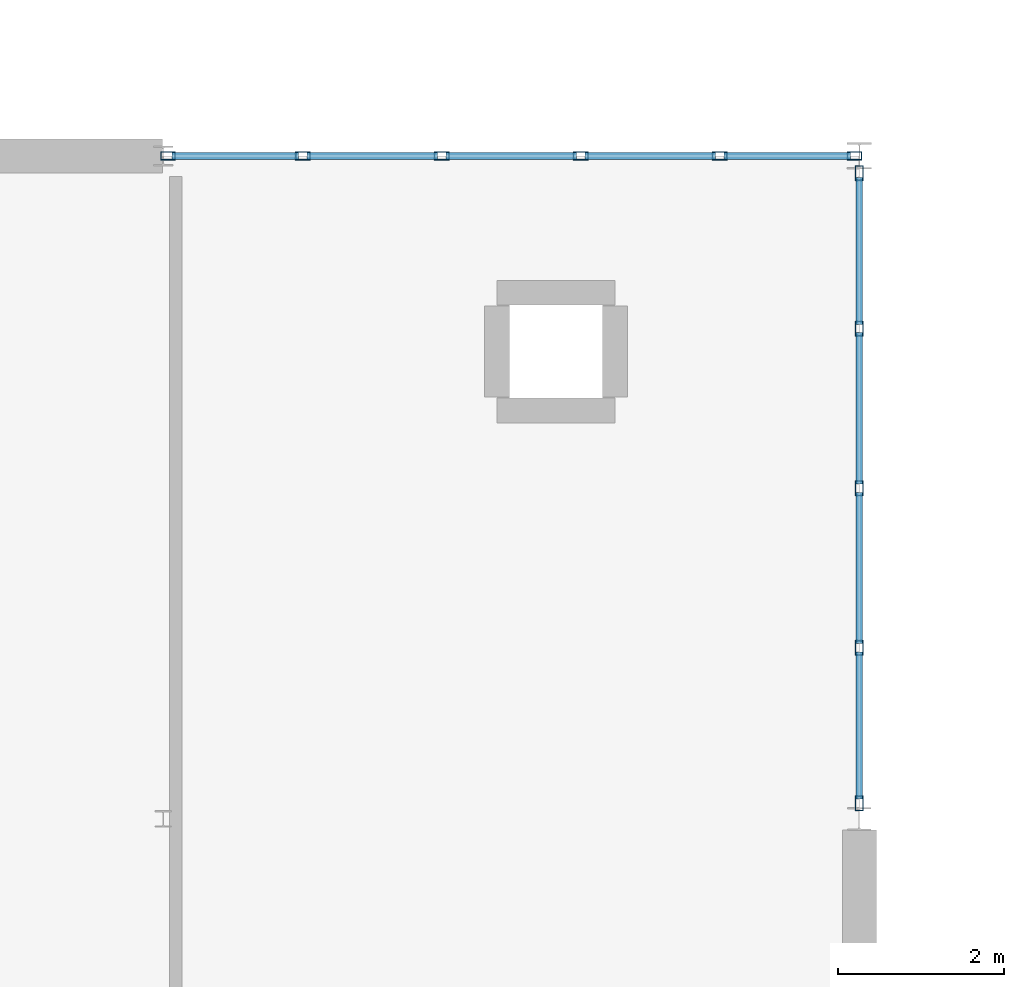
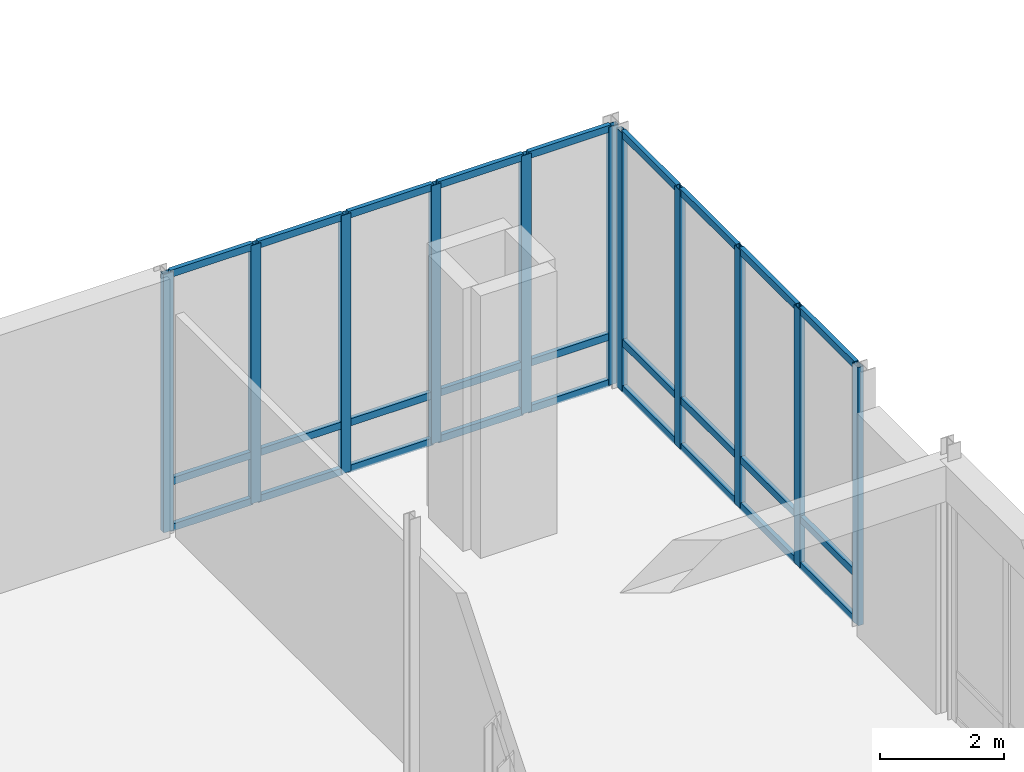
# One storey, part 85 of 169: 38 members, 2 elements without a shape of their own.
"""IFC4 building model written with IfcOpenShell, lengths in metres."""

from ifc_helpers import new_model, si_unit, direction, frame, origin, origin_2d, place, context, subcontext, project, spatial, hollow_rectangle, extrude, material, layer, layer_set, material_profile, profile_set, type_object, element, aggregate, save


model = new_model("IFC4")

# Units and contexts
model_context = context("Model", 3, precision=1e-05, world=origin(), true_north=direction((0.0, 1.0)))
body_context = subcontext(model_context, "Body", "Model", "MODEL_VIEW")
ifc_project = project(units=[si_unit("LENGTHUNIT", "METRE"), si_unit("AREAUNIT", "SQUARE_METRE"), si_unit("VOLUMEUNIT", "CUBIC_METRE"), si_unit("PLANEANGLEUNIT", "RADIAN"), si_unit("MASSUNIT", "GRAM", prefix="KILO")], contexts=[model_context])

# Site, building, storey
site_placement = place(None, origin())
site = spatial("IfcSite", under=ifc_project, at=site_placement, CompositionType="ELEMENT")
building_placement = place(site_placement, origin())
building = spatial("IfcBuilding", under=site, at=building_placement, Name="Mazaris Harbour Polytechnic", CompositionType="ELEMENT")
storey_placement = place(building_placement, origin())
storey = spatial("IfcBuildingStorey", under=building, at=storey_placement, Name="L00", CompositionType="ELEMENT", Elevation=0.0)

# Curtain wall, members
ifc_material_1 = material(Name="Anodised Bronze Aluminium and Low-E Glass", Category="aluminium")
ifc_layer = layer(ifc_material_1, 0.14990234375, Name="Anodised Bronze Aluminium and Low-E Glass")
ifc_layer_set = layer_set([ifc_layer], Name="Anodised Bronze Aluminium and Low-E Glass")
curtain_wall_type = type_object("IfcCurtainWallType", Name="Workshop Clerestory Curtain Wall", PredefinedType="NOTDEFINED", material=ifc_layer_set)
curtain_wall_1_placement = place(storey_placement, origin())
curtain_wall_1 = element("IfcCurtainWall", 1, at=curtain_wall_1_placement, inside=storey, type_object=curtain_wall_type, Name="V1 L00 Curtain Wall 6", PredefinedType="NOTDEFINED")
ifc_material_2 = material(Name="Anodised Bronze Steel S355", Category="steel")
ifc_material_profile_1 = material_profile(ifc_material_2, hollow_rectangle(XDim=0.10009765625, YDim=0.179931640625, WallThickness=0.008056640625, at=origin_2d()), Name="RHS 100x180x8.0")
ifc_profile_set_1 = profile_set([ifc_material_profile_1], Name="Anodised Bronze Steel S355")
member_type_1 = type_object("IfcMemberType", Name="Curtain Mullion RHS100x180", PredefinedType="MULLION", material=ifc_profile_set_1)
member_1_placement = place(storey_placement, frame((104.4580078125, 118.800048828125, 0.0), z_axis=(0.0, 0.0, 1.0), x_axis=(0.0, 1.0, 0.0)))
member_1 = element("IfcMember", 2, at=member_1_placement, type_object=member_type_1, Name="CW-04 mullion 1", PredefinedType="MULLION", context=body_context, shape_type="SweptSolid", body=[
    extrude(hollow_rectangle(XDim=0.10009765625, YDim=0.179931640625, WallThickness=0.008056640625, at=origin_2d()), origin(), (0.0, 0.0, 1.0), 5.080078125),
])
member_2_placement = place(storey_placement, frame((106.084716796875, 118.800048828125, 0.0), z_axis=(0.0, 0.0, 1.0), x_axis=(0.0, 1.0, 0.0)))
member_2 = element("IfcMember", 3, at=member_2_placement, type_object=member_type_1, Name="CW-04 mullion 2", PredefinedType="MULLION", context=body_context, shape_type="SweptSolid", body=[
    extrude(hollow_rectangle(XDim=0.10009765625, YDim=0.179931640625, WallThickness=0.008056640625, at=origin_2d()), origin(), (0.0, 0.0, 1.0), 5.080078125),
])
member_3_placement = place(storey_placement, frame((107.76171875, 118.800048828125, 0.0), z_axis=(0.0, 0.0, 1.0), x_axis=(0.0, 1.0, 0.0)))
member_3 = element("IfcMember", 4, at=member_3_placement, type_object=member_type_1, Name="CW-04 mullion 3", PredefinedType="MULLION", context=body_context, shape_type="SweptSolid", body=[
    extrude(hollow_rectangle(XDim=0.10009765625, YDim=0.179931640625, WallThickness=0.008056640625, at=origin_2d()), origin(), (0.0, 0.0, 1.0), 5.080078125),
])
member_4_placement = place(storey_placement, frame((109.4384765625, 118.800048828125, 0.0), z_axis=(0.0, 0.0, 1.0), x_axis=(0.0, 1.0, 0.0)))
member_4 = element("IfcMember", 5, at=member_4_placement, type_object=member_type_1, Name="CW-04 mullion 4", PredefinedType="MULLION", context=body_context, shape_type="SweptSolid", body=[
    extrude(hollow_rectangle(XDim=0.10009765625, YDim=0.179931640625, WallThickness=0.008056640625, at=origin_2d()), origin(), (0.0, 0.0, 1.0), 5.080078125),
])
member_5_placement = place(storey_placement, frame((111.115234375, 118.800048828125, 0.0), z_axis=(0.0, 0.0, 1.0), x_axis=(0.0, 1.0, 0.0)))
member_5 = element("IfcMember", 6, at=member_5_placement, type_object=member_type_1, Name="CW-04 mullion 5", PredefinedType="MULLION", context=body_context, shape_type="SweptSolid", body=[
    extrude(hollow_rectangle(XDim=0.10009765625, YDim=0.179931640625, WallThickness=0.008056640625, at=origin_2d()), origin(), (0.0, 0.0, 1.0), 5.080078125),
])
member_6_placement = place(storey_placement, frame((112.741943359375, 118.800048828125, 0.0), z_axis=(0.0, 0.0, 1.0), x_axis=(0.0, 1.0, 0.0)))
member_6 = element("IfcMember", 7, at=member_6_placement, type_object=member_type_1, Name="CW-04 mullion 6", PredefinedType="MULLION", context=body_context, shape_type="SweptSolid", body=[
    extrude(hollow_rectangle(XDim=0.10009765625, YDim=0.179931640625, WallThickness=0.008056640625, at=origin_2d()), origin(), (0.0, 0.0, 1.0), 5.080078125),
])

curtain_wall_2_placement = place(storey_placement, origin())
curtain_wall_2 = element("IfcCurtainWall", 8, at=curtain_wall_2_placement, inside=storey, type_object=curtain_wall_type, Name="V1 L00 Curtain Wall 12", PredefinedType="NOTDEFINED")
member_7_placement = place(storey_placement, frame((112.800048828125, 118.593017578125, 0.0), z_axis=(0.0, 0.0, 1.0), x_axis=(1.0, 0.0, 0.0)))
member_7 = element("IfcMember", 9, at=member_7_placement, type_object=member_type_1, Name="CW-04 mullion 1", PredefinedType="MULLION", context=body_context, shape_type="SweptSolid", body=[
    extrude(hollow_rectangle(XDim=0.10009765625, YDim=0.179931640625, WallThickness=0.008056640625, at=origin_2d()), origin(), (0.0, 0.0, 1.0), 5.080078125),
])
member_8_placement = place(storey_placement, frame((112.800048828125, 116.716552734375, 0.0), z_axis=(0.0, 0.0, 1.0), x_axis=(1.0, 0.0, 0.0)))
member_8 = element("IfcMember", 10, at=member_8_placement, type_object=member_type_1, Name="CW-04 mullion 2", PredefinedType="MULLION", context=body_context, shape_type="SweptSolid", body=[
    extrude(hollow_rectangle(XDim=0.10009765625, YDim=0.179931640625, WallThickness=0.008056640625, at=origin_2d()), origin(), (0.0, 0.0, 1.0), 5.080078125),
])
member_9_placement = place(storey_placement, frame((112.800048828125, 114.7900390625, 0.0), z_axis=(0.0, 0.0, 1.0), x_axis=(1.0, 0.0, 0.0)))
member_9 = element("IfcMember", 11, at=member_9_placement, type_object=member_type_1, Name="CW-04 mullion 3", PredefinedType="MULLION", context=body_context, shape_type="SweptSolid", body=[
    extrude(hollow_rectangle(XDim=0.10009765625, YDim=0.179931640625, WallThickness=0.008056640625, at=origin_2d()), origin(), (0.0, 0.0, 1.0), 5.080078125),
])
member_10_placement = place(storey_placement, frame((112.800048828125, 112.863525390625, 0.0), z_axis=(0.0, 0.0, 1.0), x_axis=(1.0, 0.0, 0.0)))
member_10 = element("IfcMember", 12, at=member_10_placement, type_object=member_type_1, Name="CW-04 mullion 4", PredefinedType="MULLION", context=body_context, shape_type="SweptSolid", body=[
    extrude(hollow_rectangle(XDim=0.10009765625, YDim=0.179931640625, WallThickness=0.008056640625, at=origin_2d()), origin(), (0.0, 0.0, 1.0), 5.080078125),
])
member_11_placement = place(storey_placement, frame((112.800048828125, 110.987060546875, 0.0), z_axis=(0.0, 0.0, 1.0), x_axis=(1.0, 0.0, 0.0)))
member_11 = element("IfcMember", 13, at=member_11_placement, type_object=member_type_1, Name="CW-04 mullion 5", PredefinedType="MULLION", context=body_context, shape_type="SweptSolid", body=[
    extrude(hollow_rectangle(XDim=0.10009765625, YDim=0.179931640625, WallThickness=0.008056640625, at=origin_2d()), origin(), (0.0, 0.0, 1.0), 5.080078125),
])

# Member
ifc_material_3 = material(Name="Anodised Bronze Steel S355", Category="steel")
ifc_material_profile_2 = material_profile(ifc_material_3, hollow_rectangle(XDim=0.080078125, YDim=0.139892578125, WallThickness=0.00634765625, at=origin_2d()), Name="RHS 80x140x6.3")
ifc_profile_set_2 = profile_set([ifc_material_profile_2], Name="Anodised Bronze Steel S355")
member_type_2 = type_object("IfcMemberType", Name="Curtain Transom RHS80x140", PredefinedType="USERDEFINED", material=ifc_profile_set_2)
member_12_placement = place(storey_placement, frame((104.508056640625, 118.800048828125, 0.0400390625), z_axis=(1.0, 0.0, 0.0), x_axis=(0.0, 1.0, 0.0)))
member_12 = element("IfcMember", 14, at=member_12_placement, type_object=member_type_2, Name="CW-04 transom 1.1", ObjectType="TRANSOM", PredefinedType="USERDEFINED", context=body_context, shape_type="SweptSolid", body=[
    extrude(hollow_rectangle(XDim=0.080078125, YDim=0.139892578125, WallThickness=0.00634765625, at=origin_2d()), origin(), (0.0, 0.0, 1.0), 1.52685546875),
])

member_13_placement = place(storey_placement, frame((104.508056640625, 118.800048828125, 0.949951171875), z_axis=(1.0, 0.0, 0.0), x_axis=(0.0, 1.0, 0.0)))
member_13 = element("IfcMember", 15, at=member_13_placement, type_object=member_type_2, Name="CW-04 transom 1.2", ObjectType="TRANSOM", PredefinedType="USERDEFINED", context=body_context, shape_type="SweptSolid", body=[
    extrude(hollow_rectangle(XDim=0.080078125, YDim=0.139892578125, WallThickness=0.00634765625, at=origin_2d()), origin(), (0.0, 0.0, 1.0), 1.52685546875),
])

member_14_placement = place(storey_placement, frame((104.508056640625, 118.800048828125, 5.0400390625), z_axis=(1.0, 0.0, 0.0), x_axis=(0.0, 1.0, 0.0)))
member_14 = element("IfcMember", 16, at=member_14_placement, type_object=member_type_2, Name="CW-04 transom 1.3", ObjectType="TRANSOM", PredefinedType="USERDEFINED", context=body_context, shape_type="SweptSolid", body=[
    extrude(hollow_rectangle(XDim=0.080078125, YDim=0.139892578125, WallThickness=0.00634765625, at=origin_2d()), origin(), (0.0, 0.0, 1.0), 1.52685546875),
])

member_15_placement = place(storey_placement, frame((106.134765625, 118.800048828125, 0.0400390625), z_axis=(1.0, 0.0, 0.0), x_axis=(0.0, 1.0, 0.0)))
member_15 = element("IfcMember", 17, at=member_15_placement, type_object=member_type_2, Name="CW-04 transom 2.1", ObjectType="TRANSOM", PredefinedType="USERDEFINED", context=body_context, shape_type="SweptSolid", body=[
    extrude(hollow_rectangle(XDim=0.080078125, YDim=0.139892578125, WallThickness=0.00634765625, at=origin_2d()), origin(), (0.0, 0.0, 1.0), 1.576904296875),
])

member_16_placement = place(storey_placement, frame((106.134765625, 118.800048828125, 0.949951171875), z_axis=(1.0, 0.0, 0.0), x_axis=(0.0, 1.0, 0.0)))
member_16 = element("IfcMember", 18, at=member_16_placement, type_object=member_type_2, Name="CW-04 transom 2.2", ObjectType="TRANSOM", PredefinedType="USERDEFINED", context=body_context, shape_type="SweptSolid", body=[
    extrude(hollow_rectangle(XDim=0.080078125, YDim=0.139892578125, WallThickness=0.00634765625, at=origin_2d()), origin(), (0.0, 0.0, 1.0), 1.576904296875),
])

member_17_placement = place(storey_placement, frame((106.134765625, 118.800048828125, 5.0400390625), z_axis=(1.0, 0.0, 0.0), x_axis=(0.0, 1.0, 0.0)))
member_17 = element("IfcMember", 19, at=member_17_placement, type_object=member_type_2, Name="CW-04 transom 2.3", ObjectType="TRANSOM", PredefinedType="USERDEFINED", context=body_context, shape_type="SweptSolid", body=[
    extrude(hollow_rectangle(XDim=0.080078125, YDim=0.139892578125, WallThickness=0.00634765625, at=origin_2d()), origin(), (0.0, 0.0, 1.0), 1.576904296875),
])

member_18_placement = place(storey_placement, frame((107.8115234375, 118.800048828125, 0.0400390625), z_axis=(1.0, 0.0, 0.0), x_axis=(0.0, 1.0, 0.0)))
member_18 = element("IfcMember", 20, at=member_18_placement, type_object=member_type_2, Name="CW-04 transom 3.1", ObjectType="TRANSOM", PredefinedType="USERDEFINED", context=body_context, shape_type="SweptSolid", body=[
    extrude(hollow_rectangle(XDim=0.080078125, YDim=0.139892578125, WallThickness=0.00634765625, at=origin_2d()), origin(), (0.0, 0.0, 1.0), 1.576904296875),
])

member_19_placement = place(storey_placement, frame((107.8115234375, 118.800048828125, 0.949951171875), z_axis=(1.0, 0.0, 0.0), x_axis=(0.0, 1.0, 0.0)))
member_19 = element("IfcMember", 21, at=member_19_placement, type_object=member_type_2, Name="CW-04 transom 3.2", ObjectType="TRANSOM", PredefinedType="USERDEFINED", context=body_context, shape_type="SweptSolid", body=[
    extrude(hollow_rectangle(XDim=0.080078125, YDim=0.139892578125, WallThickness=0.00634765625, at=origin_2d()), origin(), (0.0, 0.0, 1.0), 1.576904296875),
])

member_20_placement = place(storey_placement, frame((107.8115234375, 118.800048828125, 5.0400390625), z_axis=(1.0, 0.0, 0.0), x_axis=(0.0, 1.0, 0.0)))
member_20 = element("IfcMember", 22, at=member_20_placement, type_object=member_type_2, Name="CW-04 transom 3.3", ObjectType="TRANSOM", PredefinedType="USERDEFINED", context=body_context, shape_type="SweptSolid", body=[
    extrude(hollow_rectangle(XDim=0.080078125, YDim=0.139892578125, WallThickness=0.00634765625, at=origin_2d()), origin(), (0.0, 0.0, 1.0), 1.576904296875),
])

member_21_placement = place(storey_placement, frame((109.48828125, 118.800048828125, 0.0400390625), z_axis=(1.0, 0.0, 0.0), x_axis=(0.0, 1.0, 0.0)))
member_21 = element("IfcMember", 23, at=member_21_placement, type_object=member_type_2, Name="CW-04 transom 4.1", ObjectType="TRANSOM", PredefinedType="USERDEFINED", context=body_context, shape_type="SweptSolid", body=[
    extrude(hollow_rectangle(XDim=0.080078125, YDim=0.139892578125, WallThickness=0.00634765625, at=origin_2d()), origin(), (0.0, 0.0, 1.0), 1.576904296875),
])

member_22_placement = place(storey_placement, frame((109.48828125, 118.800048828125, 0.949951171875), z_axis=(1.0, 0.0, 0.0), x_axis=(0.0, 1.0, 0.0)))
member_22 = element("IfcMember", 24, at=member_22_placement, type_object=member_type_2, Name="CW-04 transom 4.2", ObjectType="TRANSOM", PredefinedType="USERDEFINED", context=body_context, shape_type="SweptSolid", body=[
    extrude(hollow_rectangle(XDim=0.080078125, YDim=0.139892578125, WallThickness=0.00634765625, at=origin_2d()), origin(), (0.0, 0.0, 1.0), 1.576904296875),
])

member_23_placement = place(storey_placement, frame((109.48828125, 118.800048828125, 5.0400390625), z_axis=(1.0, 0.0, 0.0), x_axis=(0.0, 1.0, 0.0)))
member_23 = element("IfcMember", 25, at=member_23_placement, type_object=member_type_2, Name="CW-04 transom 4.3", ObjectType="TRANSOM", PredefinedType="USERDEFINED", context=body_context, shape_type="SweptSolid", body=[
    extrude(hollow_rectangle(XDim=0.080078125, YDim=0.139892578125, WallThickness=0.00634765625, at=origin_2d()), origin(), (0.0, 0.0, 1.0), 1.576904296875),
])

member_24_placement = place(storey_placement, frame((111.165283203125, 118.800048828125, 0.0400390625), z_axis=(1.0, 0.0, 0.0), x_axis=(0.0, 1.0, 0.0)))
member_24 = element("IfcMember", 26, at=member_24_placement, type_object=member_type_2, Name="CW-04 transom 5.1", ObjectType="TRANSOM", PredefinedType="USERDEFINED", context=body_context, shape_type="SweptSolid", body=[
    extrude(hollow_rectangle(XDim=0.080078125, YDim=0.139892578125, WallThickness=0.00634765625, at=origin_2d()), origin(), (0.0, 0.0, 1.0), 1.526611328125),
])

member_25_placement = place(storey_placement, frame((111.165283203125, 118.800048828125, 0.949951171875), z_axis=(1.0, 0.0, 0.0), x_axis=(0.0, 1.0, 0.0)))
member_25 = element("IfcMember", 27, at=member_25_placement, type_object=member_type_2, Name="CW-04 transom 5.2", ObjectType="TRANSOM", PredefinedType="USERDEFINED", context=body_context, shape_type="SweptSolid", body=[
    extrude(hollow_rectangle(XDim=0.080078125, YDim=0.139892578125, WallThickness=0.00634765625, at=origin_2d()), origin(), (0.0, 0.0, 1.0), 1.526611328125),
])

member_26_placement = place(storey_placement, frame((111.165283203125, 118.800048828125, 5.0400390625), z_axis=(1.0, 0.0, 0.0), x_axis=(0.0, 1.0, 0.0)))
member_26 = element("IfcMember", 28, at=member_26_placement, type_object=member_type_2, Name="CW-04 transom 5.3", ObjectType="TRANSOM", PredefinedType="USERDEFINED", context=body_context, shape_type="SweptSolid", body=[
    extrude(hollow_rectangle(XDim=0.080078125, YDim=0.139892578125, WallThickness=0.00634765625, at=origin_2d()), origin(), (0.0, 0.0, 1.0), 1.526611328125),
])

aggregate(curtain_wall_1, [member_1, member_2, member_3, member_4, member_5, member_6, member_12, member_13, member_14, member_15, member_16, member_17, member_18, member_19, member_20, member_21, member_22, member_23, member_24, member_25, member_26])

member_27_placement = place(storey_placement, frame((112.800048828125, 118.54296875, 0.0400390625), z_axis=(0.0, -1.0, 0.0), x_axis=(1.0, 0.0, 0.0)))
member_27 = element("IfcMember", 29, at=member_27_placement, type_object=member_type_2, Name="CW-04 transom 1.1", ObjectType="TRANSOM", PredefinedType="USERDEFINED", context=body_context, shape_type="SweptSolid", body=[
    extrude(hollow_rectangle(XDim=0.080078125, YDim=0.139892578125, WallThickness=0.00634765625, at=origin_2d()), origin(), (0.0, 0.0, 1.0), 1.7763671875),
])

member_28_placement = place(storey_placement, frame((112.800048828125, 118.54296875, 0.949951171875), z_axis=(0.0, -1.0, 0.0), x_axis=(1.0, 0.0, 0.0)))
member_28 = element("IfcMember", 30, at=member_28_placement, type_object=member_type_2, Name="CW-04 transom 1.2", ObjectType="TRANSOM", PredefinedType="USERDEFINED", context=body_context, shape_type="SweptSolid", body=[
    extrude(hollow_rectangle(XDim=0.080078125, YDim=0.139892578125, WallThickness=0.00634765625, at=origin_2d()), origin(), (0.0, 0.0, 1.0), 1.7763671875),
])

member_29_placement = place(storey_placement, frame((112.800048828125, 118.54296875, 5.0400390625), z_axis=(0.0, -1.0, 0.0), x_axis=(1.0, 0.0, 0.0)))
member_29 = element("IfcMember", 31, at=member_29_placement, type_object=member_type_2, Name="CW-04 transom 1.3", ObjectType="TRANSOM", PredefinedType="USERDEFINED", context=body_context, shape_type="SweptSolid", body=[
    extrude(hollow_rectangle(XDim=0.080078125, YDim=0.139892578125, WallThickness=0.00634765625, at=origin_2d()), origin(), (0.0, 0.0, 1.0), 1.7763671875),
])

member_30_placement = place(storey_placement, frame((112.800048828125, 116.66650390625, 0.0400390625), z_axis=(0.0, -1.0, 0.0), x_axis=(1.0, 0.0, 0.0)))
member_30 = element("IfcMember", 32, at=member_30_placement, type_object=member_type_2, Name="CW-04 transom 2.1", ObjectType="TRANSOM", PredefinedType="USERDEFINED", context=body_context, shape_type="SweptSolid", body=[
    extrude(hollow_rectangle(XDim=0.080078125, YDim=0.139892578125, WallThickness=0.00634765625, at=origin_2d()), origin(), (0.0, 0.0, 1.0), 1.826416015625),
])

member_31_placement = place(storey_placement, frame((112.800048828125, 116.66650390625, 0.949951171875), z_axis=(0.0, -1.0, 0.0), x_axis=(1.0, 0.0, 0.0)))
member_31 = element("IfcMember", 33, at=member_31_placement, type_object=member_type_2, Name="CW-04 transom 2.2", ObjectType="TRANSOM", PredefinedType="USERDEFINED", context=body_context, shape_type="SweptSolid", body=[
    extrude(hollow_rectangle(XDim=0.080078125, YDim=0.139892578125, WallThickness=0.00634765625, at=origin_2d()), origin(), (0.0, 0.0, 1.0), 1.826416015625),
])

member_32_placement = place(storey_placement, frame((112.800048828125, 116.66650390625, 5.0400390625), z_axis=(0.0, -1.0, 0.0), x_axis=(1.0, 0.0, 0.0)))
member_32 = element("IfcMember", 34, at=member_32_placement, type_object=member_type_2, Name="CW-04 transom 2.3", ObjectType="TRANSOM", PredefinedType="USERDEFINED", context=body_context, shape_type="SweptSolid", body=[
    extrude(hollow_rectangle(XDim=0.080078125, YDim=0.139892578125, WallThickness=0.00634765625, at=origin_2d()), origin(), (0.0, 0.0, 1.0), 1.826416015625),
])

member_33_placement = place(storey_placement, frame((112.800048828125, 114.739990234375, 0.0400390625), z_axis=(0.0, -1.0, 0.0), x_axis=(1.0, 0.0, 0.0)))
member_33 = element("IfcMember", 35, at=member_33_placement, type_object=member_type_2, Name="CW-04 transom 3.1", ObjectType="TRANSOM", PredefinedType="USERDEFINED", context=body_context, shape_type="SweptSolid", body=[
    extrude(hollow_rectangle(XDim=0.080078125, YDim=0.139892578125, WallThickness=0.00634765625, at=origin_2d()), origin(), (0.0, 0.0, 1.0), 1.826416015625),
])

member_34_placement = place(storey_placement, frame((112.800048828125, 114.739990234375, 0.949951171875), z_axis=(0.0, -1.0, 0.0), x_axis=(1.0, 0.0, 0.0)))
member_34 = element("IfcMember", 36, at=member_34_placement, type_object=member_type_2, Name="CW-04 transom 3.2", ObjectType="TRANSOM", PredefinedType="USERDEFINED", context=body_context, shape_type="SweptSolid", body=[
    extrude(hollow_rectangle(XDim=0.080078125, YDim=0.139892578125, WallThickness=0.00634765625, at=origin_2d()), origin(), (0.0, 0.0, 1.0), 1.826416015625),
])

member_35_placement = place(storey_placement, frame((112.800048828125, 114.739990234375, 5.0400390625), z_axis=(0.0, -1.0, 0.0), x_axis=(1.0, 0.0, 0.0)))
member_35 = element("IfcMember", 37, at=member_35_placement, type_object=member_type_2, Name="CW-04 transom 3.3", ObjectType="TRANSOM", PredefinedType="USERDEFINED", context=body_context, shape_type="SweptSolid", body=[
    extrude(hollow_rectangle(XDim=0.080078125, YDim=0.139892578125, WallThickness=0.00634765625, at=origin_2d()), origin(), (0.0, 0.0, 1.0), 1.826416015625),
])

member_36_placement = place(storey_placement, frame((112.800048828125, 112.8134765625, 0.0400390625), z_axis=(0.0, -1.0, 0.0), x_axis=(1.0, 0.0, 0.0)))
member_36 = element("IfcMember", 38, at=member_36_placement, type_object=member_type_2, Name="CW-04 transom 4.1", ObjectType="TRANSOM", PredefinedType="USERDEFINED", context=body_context, shape_type="SweptSolid", body=[
    extrude(hollow_rectangle(XDim=0.080078125, YDim=0.139892578125, WallThickness=0.00634765625, at=origin_2d()), origin(), (0.0, 0.0, 1.0), 1.7763671875),
])

member_37_placement = place(storey_placement, frame((112.800048828125, 112.8134765625, 0.949951171875), z_axis=(0.0, -1.0, 0.0), x_axis=(1.0, 0.0, 0.0)))
member_37 = element("IfcMember", 39, at=member_37_placement, type_object=member_type_2, Name="CW-04 transom 4.2", ObjectType="TRANSOM", PredefinedType="USERDEFINED", context=body_context, shape_type="SweptSolid", body=[
    extrude(hollow_rectangle(XDim=0.080078125, YDim=0.139892578125, WallThickness=0.00634765625, at=origin_2d()), origin(), (0.0, 0.0, 1.0), 1.7763671875),
])

member_38_placement = place(storey_placement, frame((112.800048828125, 112.8134765625, 5.0400390625), z_axis=(0.0, -1.0, 0.0), x_axis=(1.0, 0.0, 0.0)))
member_38 = element("IfcMember", 40, at=member_38_placement, type_object=member_type_2, Name="CW-04 transom 4.3", ObjectType="TRANSOM", PredefinedType="USERDEFINED", context=body_context, shape_type="SweptSolid", body=[
    extrude(hollow_rectangle(XDim=0.080078125, YDim=0.139892578125, WallThickness=0.00634765625, at=origin_2d()), origin(), (0.0, 0.0, 1.0), 1.7763671875),
])

aggregate(curtain_wall_2, [member_7, member_8, member_9, member_10, member_11, member_27, member_28, member_29, member_30, member_31, member_32, member_33, member_34, member_35, member_36, member_37, member_38])

save(model, "model.ifc")
